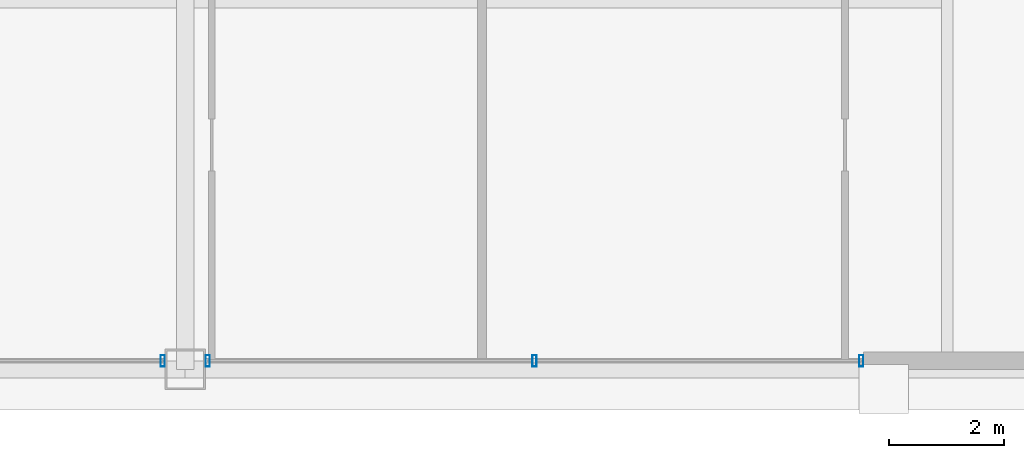
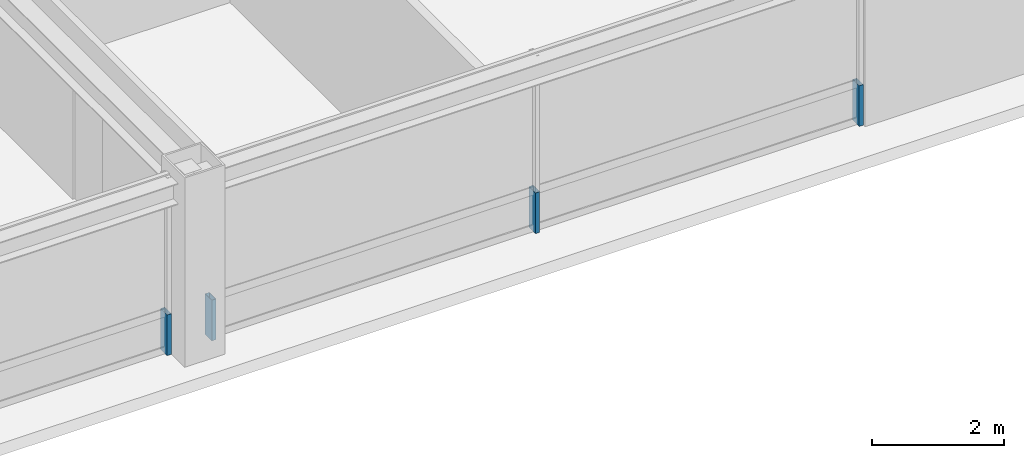
# One storey, part 23 of 35: 4 members, 2 elements without a shape of their own.
"""IFC4 building model written with IfcOpenShell, lengths in metres."""

from ifc_helpers import new_model, si_unit, direction, frame, origin, origin_2d, place, context, subcontext, project, spatial, hollow_rectangle, extrude, source, transform, mapped, material, layer, layer_set, material_profile, profile_set, type_object, element, aggregate, save


model = new_model("IFC4")

# Units and contexts
model_context = context("Model", 3, precision=1e-05, world=origin(), true_north=direction((0.0, 1.0)))
body_context = subcontext(model_context, "Body", "Model", "MODEL_VIEW")
ifc_project = project(units=[si_unit("LENGTHUNIT", "METRE"), si_unit("AREAUNIT", "SQUARE_METRE"), si_unit("VOLUMEUNIT", "CUBIC_METRE"), si_unit("PLANEANGLEUNIT", "RADIAN"), si_unit("MASSUNIT", "GRAM", prefix="KILO"), si_unit("THERMODYNAMICTEMPERATUREUNIT", "KELVIN"), si_unit("POWERUNIT", "WATT")], contexts=[model_context])

# Site, building, storey
site_placement = place(None, origin())
site = spatial("IfcSite", under=ifc_project, at=site_placement, CompositionType="ELEMENT")
building_placement = place(site_placement, origin())
building = spatial("IfcBuilding", under=site, at=building_placement, Name="Yuzanri Waterfront Tower", CompositionType="ELEMENT")
storey_placement = place(building_placement, frame((0.0, 0.0, 318.199951171875)))
storey = spatial("IfcBuildingStorey", under=building, at=storey_placement, Name="L85", CompositionType="ELEMENT", Elevation=318.199951171875)

# Curtain wall, member
ifc_material_1 = material(Name="Anodized Architectural Bronze", Category="metal")
ifc_layer = layer(ifc_material_1, 0.159912109375)
ifc_layer_set = layer_set([ifc_layer], Name="Anodized Architectural Bronze")
curtain_wall_type = type_object("IfcCurtainWallType", Name="Anodized Bronze High-Rise Penthouse High-Wind Unitized Curtain Wall 6900", PredefinedType="NOTDEFINED", material=ifc_layer_set)
curtain_wall_1_placement = place(storey_placement, origin())
curtain_wall_1 = element("IfcCurtainWall", 1, at=curtain_wall_1_placement, inside=storey, type_object=curtain_wall_type, Name="L85 Curtain Wall CW-L85-SL", PredefinedType="NOTDEFINED")
ifc_material_2 = material(Name="Anodized Architectural Bronze", Category="metal")
ifc_material_profile = material_profile(ifc_material_2, hollow_rectangle(XDim=0.074951171875, YDim=0.199951171875, WallThickness=0.00390625, at=origin_2d()), Name="CWM 75x200")
ifc_profile_set = profile_set([ifc_material_profile], Name="Anodized Architectural Bronze")
member_type = type_object("IfcMemberType", Name="Anodized Bronze Primary Curtain-Wall Mullion 75x200", PredefinedType="MULLION", material=ifc_profile_set)
shared_shape = source(origin(), body_context, "Body", "SweptSolid", [
    extrude(hollow_rectangle(XDim=0.074951171875, YDim=0.199951171875, WallThickness=0.00390625, at=origin_2d()), origin(), (0.0, 0.0, 1.0), 0.751953125),
])
member_1_placement = place(storey_placement, frame((36.610107421875, 6.85009765625, 0.0), z_axis=(0.0, 0.0, 1.0), x_axis=(1.0, 0.0, 0.0)))
member_1 = element("IfcMember", 2, at=member_1_placement, type_object=member_type, Name="CW-L85-SL Lower Mullion 02", PredefinedType="MULLION", context=body_context, shape_type="MappedRepresentation", body=[
    mapped(shared_shape, transform((0.0, 0.0, 0.0), scale=1.0)),
])
aggregate(curtain_wall_1, [member_1])

# Curtain wall, members
curtain_wall_2_placement = place(storey_placement, origin())
curtain_wall_2 = element("IfcCurtainWall", 3, at=curtain_wall_2_placement, inside=storey, type_object=curtain_wall_type, Name="L85 Curtain Wall CW-L85-SR", PredefinedType="NOTDEFINED")
member_2_placement = place(storey_placement, frame((37.389892578125, 6.85009765625, 0.0), z_axis=(0.0, 0.0, 1.0), x_axis=(1.0, 0.0, 0.0)))
member_2 = element("IfcMember", 4, at=member_2_placement, type_object=member_type, Name="CW-L85-SR Lower Mullion 00", PredefinedType="MULLION", context=body_context, shape_type="MappedRepresentation", body=[
    mapped(shared_shape, transform((0.0, 0.0, 0.0), scale=1.0)),
])
member_3_placement = place(storey_placement, frame((43.050048828125, 6.85009765625, 0.0), z_axis=(0.0, 0.0, 1.0), x_axis=(1.0, 0.0, 0.0)))
member_3 = element("IfcMember", 5, at=member_3_placement, type_object=member_type, Name="CW-L85-SR Lower Mullion 01", PredefinedType="MULLION", context=body_context, shape_type="MappedRepresentation", body=[
    mapped(shared_shape, transform((0.0, 0.0, 0.0), scale=1.0)),
])
member_4_placement = place(storey_placement, frame((48.7099609375, 6.85009765625, 0.0), z_axis=(0.0, 0.0, 1.0), x_axis=(1.0, 0.0, 0.0)))
member_4 = element("IfcMember", 6, at=member_4_placement, type_object=member_type, Name="CW-L85-SR Lower Mullion 02", PredefinedType="MULLION", context=body_context, shape_type="MappedRepresentation", body=[
    mapped(shared_shape, transform((0.0, 0.0, 0.0), scale=1.0)),
])
aggregate(curtain_wall_2, [member_2, member_3, member_4])

save(model, "model.ifc")
